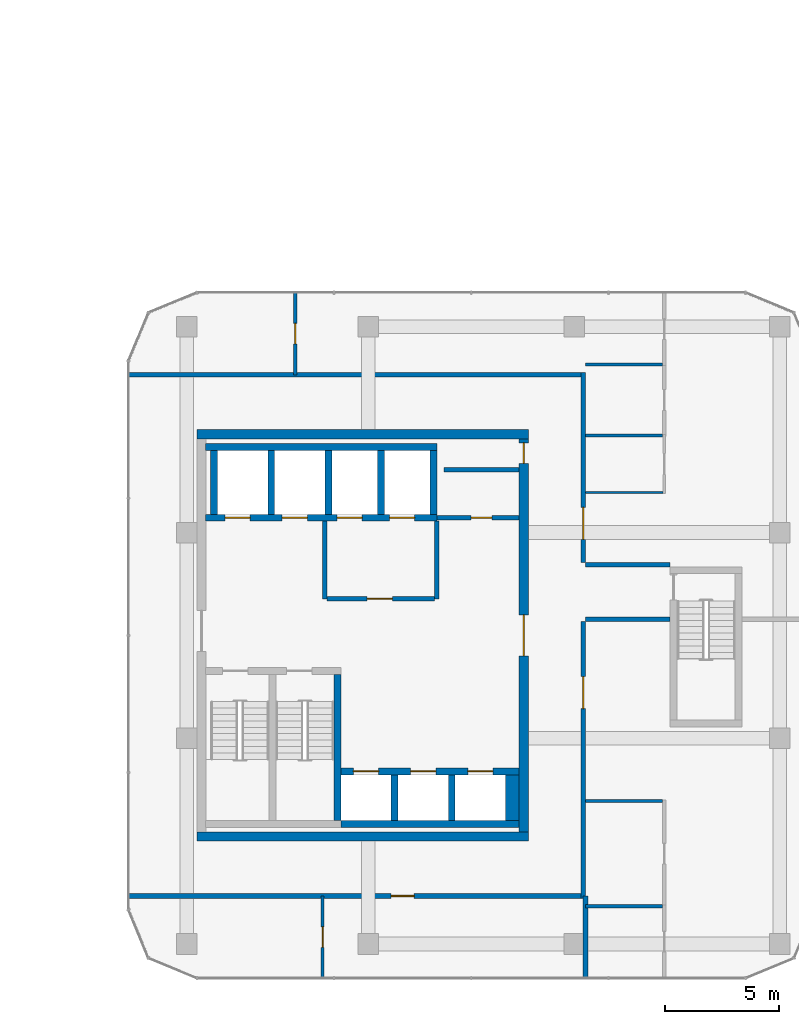
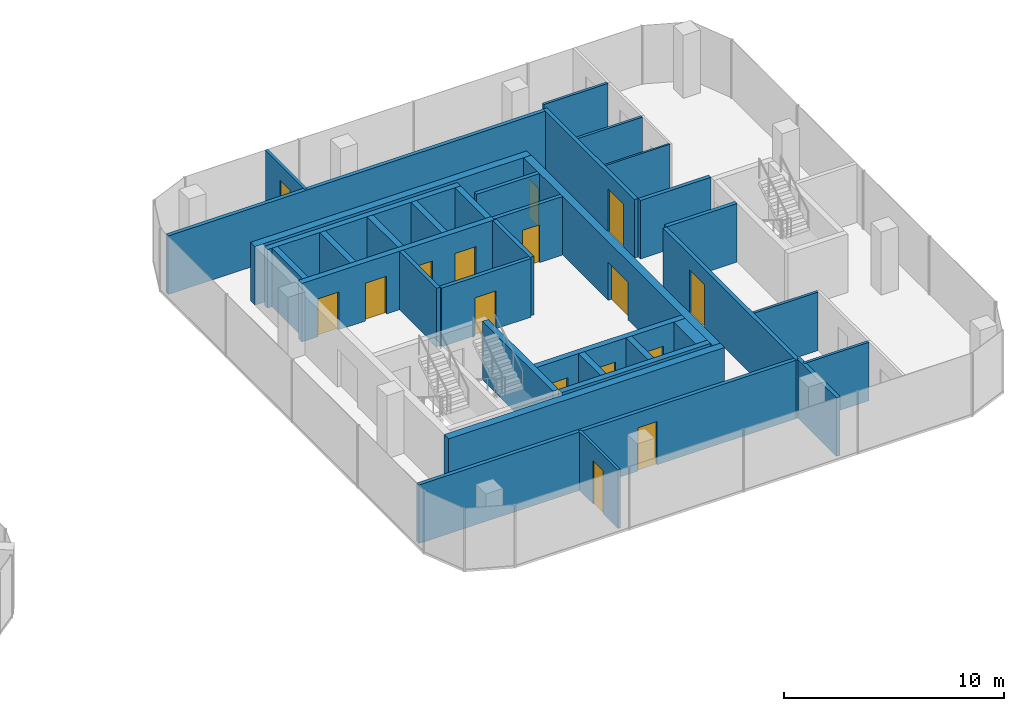
# One storey, part 18 of 23: 35 walls, 16 doors, 16 openings.
"""IFC4 building model written with IfcOpenShell, lengths in metres."""

from ifc_helpers import new_model, si_unit, direction, frame, frame_2d, origin, place, context, subcontext, project, spatial, rectangle, extrude, material, layer, layer_set, type_object, element, fill, save


model = new_model("IFC4")

# Units and contexts
model_context = context("Model", 3, precision=1e-05, world=origin(), true_north=direction((0.0, 1.0)))
body_context = subcontext(model_context, "Body", "Model", "MODEL_VIEW")
ifc_project = project(units=[si_unit("LENGTHUNIT", "METRE"), si_unit("AREAUNIT", "SQUARE_METRE"), si_unit("VOLUMEUNIT", "CUBIC_METRE"), si_unit("PLANEANGLEUNIT", "RADIAN"), si_unit("MASSUNIT", "GRAM", prefix="KILO")], contexts=[model_context])

# Site, building, storey
site_placement = place(None, origin())
site = spatial("IfcSite", under=ifc_project, at=site_placement, CompositionType="ELEMENT")
building_placement = place(site_placement, origin())
building = spatial("IfcBuilding", under=site, at=building_placement, Name="Plateau Cross Towers", CompositionType="ELEMENT")
storey_placement = place(building_placement, frame((0.0, 0.0, 92.300048828125)))
storey = spatial("IfcBuildingStorey", under=building, at=storey_placement, Name="L23", CompositionType="ELEMENT", Elevation=92.300048828125)

# Wall
ifc_material_1 = material(Name="Concrete block, plastered both sides", Category="concrete")
ifc_layer_1 = layer(ifc_material_1, 0.199951171875)
ifc_layer_set_1 = layer_set([ifc_layer_1], Name="Concrete block, plastered both sides")
wall_type_1 = type_object("IfcWallType", Name="Core partition 200", PredefinedType="PARTITIONING", material=ifc_layer_set_1)
wall_1_placement = place(storey_placement, frame((80.60009765625, 10.60009765625, 0.0), z_axis=(0.0, 0.0, 1.0), x_axis=(0.0, 1.0, 0.0)))
element("IfcWall", 1, at=wall_1_placement, inside=storey, type_object=wall_type_1, Name="Core partition", PredefinedType="PARTITIONING", context=body_context, shape_type="SweptSolid", body=[
    extrude(rectangle(XDim=3.39990234375, YDim=0.199951171875, at=frame_2d((1.699951171875, 0.0))), origin(), (0.0, 0.0, 1.0), 3.25),
])

# Wall, opening, door
wall_2_placement = place(storey_placement, frame((80.699951171875, 10.60009765625, 0.0), z_axis=(0.0, 0.0, 1.0), x_axis=(1.0, 0.0, 0.0)))
wall_2 = element("IfcWall", 2, at=wall_2_placement, inside=storey, type_object=wall_type_1, Name="Core partition", PredefinedType="PARTITIONING", context=body_context, shape_type="SweptSolid", body=[
    extrude(rectangle(XDim=4.699951171875, YDim=0.199951171875, at=frame_2d((2.35009765625, 0.0))), origin(), (0.0, 0.0, 1.0), 3.25),
])
opening_1_placement = place(wall_2_placement, frame((1.75, 0.0, 0.0)))
opening_1 = element("IfcOpeningElement", 3, at=opening_1_placement, cuts=wall_2, Name="Opening FFD", PredefinedType="OPENING", context=body_context, shape_type="SweptSolid", body=[
    extrude(rectangle(XDim=1.10009765625, YDim=2.10009765625, at=frame_2d((0.550048828125, 1.050048828125))), frame((0.0, 0.10986328125, 0.0), z_axis=(0.0, -1.0, 0.0), x_axis=(1.0, 0.0, 0.0)), (0.0, 0.0, 1.0), 0.219970703125),
])
ifc_material_2 = material(Name="Steel, fire-resisting leaf", Category="steel")
door_type_1 = type_object("IfcDoorType", Name="Firefighting lobby door 1100", OperationType="NOTDEFINED", PredefinedType="DOOR", material=ifc_material_2)
door_1_placement = place(opening_1_placement, origin())
door_1 = element("IfcDoor", 4, at=door_1_placement, inside=storey, type_object=door_type_1, Name="Firefighting lobby door FFD", OperationType="SINGLE_SWING_LEFT", OverallHeight=2.10009765625, OverallWidth=1.10009765625, PredefinedType="DOOR", context=body_context, shape_type="SweptSolid", body=[
    extrude(rectangle(XDim=1.10009765625, YDim=2.10009765625, at=frame_2d((0.550048828125, 1.050048828125))), frame((0.0, 0.02490234375, 0.0), z_axis=(0.0, -1.0, 0.0), x_axis=(1.0, 0.0, 0.0)), (0.0, 0.0, 1.0), 0.050048828125),
])
fill(opening_1, door_1)

# Wall
wall_3_placement = place(storey_placement, frame((85.5, 10.60009765625, 0.0), z_axis=(0.0, 0.0, 1.0), x_axis=(0.0, 1.0, 0.0)))
element("IfcWall", 5, at=wall_3_placement, inside=storey, type_object=wall_type_1, Name="Core partition", PredefinedType="PARTITIONING", context=body_context, shape_type="SweptSolid", body=[
    extrude(rectangle(XDim=3.39990234375, YDim=0.199951171875, at=frame_2d((1.699951171875, 0.0))), origin(), (0.0, 0.0, 1.0), 3.25),
])

# Wall, opening, door
wall_4_placement = place(storey_placement, frame((85.5, 14.14990234375, 0.0), z_axis=(0.0, 0.0, 1.0), x_axis=(1.0, 0.0, 0.0)))
wall_4 = element("IfcWall", 6, at=wall_4_placement, inside=storey, type_object=wall_type_1, Name="Core partition", PredefinedType="PARTITIONING", context=body_context, shape_type="SweptSolid", body=[
    extrude(rectangle(XDim=3.60009765625, YDim=0.199951171875, at=frame_2d((1.800048828125, 0.0))), origin(), (0.0, 0.0, 1.0), 3.25),
])
opening_2_placement = place(wall_4_placement, frame((1.5, 0.0, 0.0)))
opening_2 = element("IfcOpeningElement", 7, at=opening_2_placement, cuts=wall_4, Name="Opening RD2", PredefinedType="OPENING", context=body_context, shape_type="SweptSolid", body=[
    extrude(rectangle(XDim=0.89990234375, YDim=2.10009765625, at=frame_2d((0.449951171875, 1.050048828125))), frame((0.0, 0.10986328125, 0.0), z_axis=(0.0, -1.0, 0.0), x_axis=(1.0, 0.0, 0.0)), (0.0, 0.0, 1.0), 0.219970703125),
])
door_type_2 = type_object("IfcDoorType", Name="Core riser door 900", OperationType="NOTDEFINED", PredefinedType="DOOR", material=ifc_material_2)
door_2_placement = place(opening_2_placement, origin())
door_2 = element("IfcDoor", 8, at=door_2_placement, inside=storey, type_object=door_type_2, Name="Core riser door RD2", OperationType="SINGLE_SWING_LEFT", OverallHeight=2.10009765625, OverallWidth=0.89990234375, PredefinedType="DOOR", context=body_context, shape_type="SweptSolid", body=[
    extrude(rectangle(XDim=0.89990234375, YDim=2.10009765625, at=frame_2d((0.449951171875, 1.050048828125))), frame((0.0, 0.02490234375, 0.0), z_axis=(0.0, -1.0, 0.0), x_axis=(1.0, 0.0, 0.0)), (0.0, 0.0, 1.0), 0.050048828125),
])
fill(opening_2, door_2)

# Walls
wall_5_placement = place(storey_placement, frame((85.800048828125, 16.25, 0.0), z_axis=(0.0, 0.0, 1.0), x_axis=(1.0, 0.0, 0.0)))
element("IfcWall", 9, at=wall_5_placement, inside=storey, type_object=wall_type_1, Name="Core partition", PredefinedType="PARTITIONING", context=body_context, shape_type="SweptSolid", body=[
    extrude(rectangle(XDim=3.300048828125, YDim=0.199951171875, at=frame_2d((1.64990234375, 0.0))), origin(), (0.0, 0.0, 1.0), 3.25),
])
ifc_material_3 = material(Name="Concrete C60/75", Category="concrete")
ifc_layer_2 = layer(ifc_material_3, 0.300048828125)
ifc_layer_set_2 = layer_set([ifc_layer_2], Name="Concrete C60/75")
wall_type_2 = type_object("IfcWallType", Name="Core shaft wall 300", PredefinedType="SHEAR", material=ifc_layer_set_2)
wall_6_placement = place(storey_placement, frame((81.14990234375, 0.89990234375, 0.0), z_axis=(0.0, 0.0, 1.0), x_axis=(0.0, 1.0, 0.0)))
element("IfcWall", 10, at=wall_6_placement, inside=storey, type_object=wall_type_2, Name="B-sb-st2@L23", PredefinedType="SHEAR", context=body_context, shape_type="SweptSolid", body=[
    extrude(rectangle(XDim=6.400146484375, YDim=0.300048828125, at=frame_2d((3.2001953125, 0.0))), origin(), (0.0, 0.0, 1.0), 3.25),
])
wall_7_placement = place(storey_placement, frame((81.300048828125, 0.75, 0.0), z_axis=(0.0, 0.0, 1.0), x_axis=(1.0, 0.0, 0.0)))
element("IfcWall", 11, at=wall_7_placement, inside=storey, type_object=wall_type_2, Name="B-sb-back@L23", PredefinedType="SHEAR", context=body_context, shape_type="SweptSolid", body=[
    extrude(rectangle(XDim=7.800048828125, YDim=0.300048828125, at=frame_2d((3.89990234375, 0.0))), origin(), (0.0, 0.0, 1.0), 3.25),
])
for number, where, z_axis, x_axis, name in (
    (12, (83.64990234375, 0.89990234375, 0.0), (0.0, 0.0, 1.0), (0.0, 1.0, 0.0), "B-sb-v1@L23"),
    (13, (86.14990234375, 0.89990234375, 0.0), (0.0, 0.0, 1.0), (0.0, 1.0, 0.0), "B-sb-v2@L23"),
):
    element("IfcWall", number, at=place(storey_placement, frame(where, z_axis=z_axis, x_axis=x_axis)), inside=storey, type_object=wall_type_2, Name=name, PredefinedType="SHEAR", context=body_context, shape_type="SweptSolid", body=[
        extrude(rectangle(XDim=2.0, YDim=0.300048828125, at=frame_2d((1.0, 0.0))), origin(), (0.0, 0.0, 1.0), 3.25),
    ])

# Wall, openings, doors
wall_8_placement = place(storey_placement, frame((81.300048828125, 3.050048828125, 0.0), z_axis=(0.0, 0.0, 1.0), x_axis=(1.0, 0.0, 0.0)))
wall_8 = element("IfcWall", 14, at=wall_8_placement, inside=storey, type_object=wall_type_2, Name="B-sb-front@L23", PredefinedType="SHEAR", context=body_context, shape_type="SweptSolid", body=[
    extrude(rectangle(XDim=7.800048828125, YDim=0.300048828125, at=frame_2d((3.89990234375, 0.0))), origin(), (0.0, 0.0, 1.0), 3.25),
])
opening_3_placement = place(wall_8_placement, frame((0.550048828125, 0.0, 0.0)))
opening_3 = element("IfcOpeningElement", 15, at=opening_3_placement, cuts=wall_8, Name="Opening LD", PredefinedType="OPENING", context=body_context, shape_type="SweptSolid", body=[
    extrude(rectangle(XDim=1.10009765625, YDim=2.10009765625, at=frame_2d((0.550048828125, 1.050048828125))), frame((0.0, 0.159912109375, 0.0), z_axis=(0.0, -1.0, 0.0), x_axis=(1.0, 0.0, 0.0)), (0.0, 0.0, 1.0), 0.320068359375),
])
opening_4_placement = place(wall_8_placement, frame((3.050048828125, 0.0, 0.0)))
opening_4 = element("IfcOpeningElement", 16, at=opening_4_placement, cuts=wall_8, Name="Opening LD", PredefinedType="OPENING", context=body_context, shape_type="SweptSolid", body=[
    extrude(rectangle(XDim=1.10009765625, YDim=2.10009765625, at=frame_2d((0.550048828125, 1.050048828125))), frame((0.0, 0.159912109375, 0.0), z_axis=(0.0, -1.0, 0.0), x_axis=(1.0, 0.0, 0.0)), (0.0, 0.0, 1.0), 0.320068359375),
])
opening_5_placement = place(wall_8_placement, frame((5.550048828125, 0.0, 0.0)))
opening_5 = element("IfcOpeningElement", 17, at=opening_5_placement, cuts=wall_8, Name="Opening LD", PredefinedType="OPENING", context=body_context, shape_type="SweptSolid", body=[
    extrude(rectangle(XDim=1.10009765625, YDim=2.10009765625, at=frame_2d((0.550048828125, 1.050048828125))), frame((0.0, 0.159912109375, 0.0), z_axis=(0.0, -1.0, 0.0), x_axis=(1.0, 0.0, 0.0)), (0.0, 0.0, 1.0), 0.320068359375),
])
ifc_material_4 = material(Name="Stainless steel, fire-resisting sliding leaves", Category="steel")
door_type_3 = type_object("IfcDoorType", Name="Lift landing door 1100", OperationType="NOTDEFINED", PredefinedType="DOOR", material=ifc_material_4)
door_3_placement = place(opening_3_placement, origin())
door_3 = element("IfcDoor", 18, at=door_3_placement, inside=storey, type_object=door_type_3, Name="Lift landing door LD", OperationType="DOUBLE_DOOR_SLIDING", OverallHeight=2.10009765625, OverallWidth=1.10009765625, PredefinedType="DOOR", context=body_context, shape_type="SweptSolid", body=[
    extrude(rectangle(XDim=1.10009765625, YDim=2.10009765625, at=frame_2d((0.550048828125, 1.050048828125))), frame((0.0, 0.02490234375, 0.0), z_axis=(0.0, -1.0, 0.0), x_axis=(1.0, 0.0, 0.0)), (0.0, 0.0, 1.0), 0.050048828125),
])
fill(opening_3, door_3)
door_4_placement = place(opening_4_placement, origin())
door_4 = element("IfcDoor", 19, at=door_4_placement, inside=storey, type_object=door_type_3, Name="Lift landing door LD", OperationType="DOUBLE_DOOR_SLIDING", OverallHeight=2.10009765625, OverallWidth=1.10009765625, PredefinedType="DOOR", context=body_context, shape_type="SweptSolid", body=[
    extrude(rectangle(XDim=1.10009765625, YDim=2.10009765625, at=frame_2d((0.550048828125, 1.050048828125))), frame((0.0, 0.02490234375, 0.0), z_axis=(0.0, -1.0, 0.0), x_axis=(1.0, 0.0, 0.0)), (0.0, 0.0, 1.0), 0.050048828125),
])
fill(opening_4, door_4)
door_5_placement = place(opening_5_placement, origin())
door_5 = element("IfcDoor", 20, at=door_5_placement, inside=storey, type_object=door_type_3, Name="Lift landing door LD", OperationType="DOUBLE_DOOR_SLIDING", OverallHeight=2.10009765625, OverallWidth=1.10009765625, PredefinedType="DOOR", context=body_context, shape_type="SweptSolid", body=[
    extrude(rectangle(XDim=1.10009765625, YDim=2.10009765625, at=frame_2d((0.550048828125, 1.050048828125))), frame((0.0, 0.02490234375, 0.0), z_axis=(0.0, -1.0, 0.0), x_axis=(1.0, 0.0, 0.0)), (0.0, 0.0, 1.0), 0.050048828125),
])
fill(opening_5, door_5)

# Wall
wall_9_placement = place(storey_placement, frame((75.3798828125, 17.25, 0.0), z_axis=(0.0, 0.0, 1.0), x_axis=(1.0, 0.0, 0.0)))
element("IfcWall", 21, at=wall_9_placement, inside=storey, type_object=wall_type_2, Name="B-nb-back@L23", PredefinedType="SHEAR", context=body_context, shape_type="SweptSolid", body=[
    extrude(rectangle(XDim=10.1201171875, YDim=0.300048828125, at=frame_2d((5.06005859375, 0.0))), origin(), (0.0, 0.0, 1.0), 3.25),
])

# Wall, openings, doors
wall_10_placement = place(storey_placement, frame((75.3798828125, 14.14990234375, 0.0), z_axis=(0.0, 0.0, 1.0), x_axis=(1.0, 0.0, 0.0)))
wall_10 = element("IfcWall", 22, at=wall_10_placement, inside=storey, type_object=wall_type_2, Name="B-nb-front@L23", PredefinedType="SHEAR", context=body_context, shape_type="SweptSolid", body=[
    extrude(rectangle(XDim=10.1201171875, YDim=0.300048828125, at=frame_2d((5.06005859375, 0.0))), origin(), (0.0, 0.0, 1.0), 3.25),
])
opening_6_placement = place(wall_10_placement, frame((0.85009765625, 0.0, 0.0)))
opening_6 = element("IfcOpeningElement", 23, at=opening_6_placement, cuts=wall_10, Name="Opening LD", PredefinedType="OPENING", context=body_context, shape_type="SweptSolid", body=[
    extrude(rectangle(XDim=1.10009765625, YDim=2.10009765625, at=frame_2d((0.550048828125, 1.050048828125))), frame((0.0, 0.159912109375, 0.0), z_axis=(0.0, -1.0, 0.0), x_axis=(1.0, 0.0, 0.0)), (0.0, 0.0, 1.0), 0.320068359375),
])
opening_7_placement = place(wall_10_placement, frame((3.35009765625, 0.0, 0.0)))
opening_7 = element("IfcOpeningElement", 24, at=opening_7_placement, cuts=wall_10, Name="Opening LD", PredefinedType="OPENING", context=body_context, shape_type="SweptSolid", body=[
    extrude(rectangle(XDim=1.10009765625, YDim=2.10009765625, at=frame_2d((0.550048828125, 1.050048828125))), frame((0.0, 0.159912109375, 0.0), z_axis=(0.0, -1.0, 0.0), x_axis=(1.0, 0.0, 0.0)), (0.0, 0.0, 1.0), 0.320068359375),
])
opening_8_placement = place(wall_10_placement, frame((5.75, 0.0, 0.0)))
opening_8 = element("IfcOpeningElement", 25, at=opening_8_placement, cuts=wall_10, Name="Opening LD", PredefinedType="OPENING", context=body_context, shape_type="SweptSolid", body=[
    extrude(rectangle(XDim=1.10009765625, YDim=2.10009765625, at=frame_2d((0.550048828125, 1.050048828125))), frame((0.0, 0.159912109375, 0.0), z_axis=(0.0, -1.0, 0.0), x_axis=(1.0, 0.0, 0.0)), (0.0, 0.0, 1.0), 0.320068359375),
])
opening_9_placement = place(wall_10_placement, frame((8.050048828125, 0.0, 0.0)))
opening_9 = element("IfcOpeningElement", 26, at=opening_9_placement, cuts=wall_10, Name="Opening LD", PredefinedType="OPENING", context=body_context, shape_type="SweptSolid", body=[
    extrude(rectangle(XDim=1.10009765625, YDim=2.10009765625, at=frame_2d((0.550048828125, 1.050048828125))), frame((0.0, 0.159912109375, 0.0), z_axis=(0.0, -1.0, 0.0), x_axis=(1.0, 0.0, 0.0)), (0.0, 0.0, 1.0), 0.320068359375),
])
door_6_placement = place(opening_6_placement, origin())
door_6 = element("IfcDoor", 27, at=door_6_placement, inside=storey, type_object=door_type_3, Name="Lift landing door LD", OperationType="DOUBLE_DOOR_SLIDING", OverallHeight=2.10009765625, OverallWidth=1.10009765625, PredefinedType="DOOR", context=body_context, shape_type="SweptSolid", body=[
    extrude(rectangle(XDim=1.10009765625, YDim=2.10009765625, at=frame_2d((0.550048828125, 1.050048828125))), frame((0.0, 0.02490234375, 0.0), z_axis=(0.0, -1.0, 0.0), x_axis=(1.0, 0.0, 0.0)), (0.0, 0.0, 1.0), 0.050048828125),
])
fill(opening_6, door_6)
door_7_placement = place(opening_7_placement, origin())
door_7 = element("IfcDoor", 28, at=door_7_placement, inside=storey, type_object=door_type_3, Name="Lift landing door LD", OperationType="DOUBLE_DOOR_SLIDING", OverallHeight=2.10009765625, OverallWidth=1.10009765625, PredefinedType="DOOR", context=body_context, shape_type="SweptSolid", body=[
    extrude(rectangle(XDim=1.10009765625, YDim=2.10009765625, at=frame_2d((0.550048828125, 1.050048828125))), frame((0.0, 0.02490234375, 0.0), z_axis=(0.0, -1.0, 0.0), x_axis=(1.0, 0.0, 0.0)), (0.0, 0.0, 1.0), 0.050048828125),
])
fill(opening_7, door_7)
door_8_placement = place(opening_8_placement, origin())
door_8 = element("IfcDoor", 29, at=door_8_placement, inside=storey, type_object=door_type_3, Name="Lift landing door LD", OperationType="DOUBLE_DOOR_SLIDING", OverallHeight=2.10009765625, OverallWidth=1.10009765625, PredefinedType="DOOR", context=body_context, shape_type="SweptSolid", body=[
    extrude(rectangle(XDim=1.10009765625, YDim=2.10009765625, at=frame_2d((0.550048828125, 1.050048828125))), frame((0.0, 0.02490234375, 0.0), z_axis=(0.0, -1.0, 0.0), x_axis=(1.0, 0.0, 0.0)), (0.0, 0.0, 1.0), 0.050048828125),
])
fill(opening_8, door_8)
door_9_placement = place(opening_9_placement, origin())
door_9 = element("IfcDoor", 30, at=door_9_placement, inside=storey, type_object=door_type_3, Name="Lift landing door LD", OperationType="DOUBLE_DOOR_SLIDING", OverallHeight=2.10009765625, OverallWidth=1.10009765625, PredefinedType="DOOR", context=body_context, shape_type="SweptSolid", body=[
    extrude(rectangle(XDim=1.10009765625, YDim=2.10009765625, at=frame_2d((0.550048828125, 1.050048828125))), frame((0.0, 0.02490234375, 0.0), z_axis=(0.0, -1.0, 0.0), x_axis=(1.0, 0.0, 0.0)), (0.0, 0.0, 1.0), 0.050048828125),
])
fill(opening_9, door_9)

# Walls
for number, where, z_axis, x_axis, name in (
    (31, (75.75, 14.300048828125, 0.0), (0.0, 0.0, 1.0), (0.0, 1.0, 0.0), "B-nb-v0@L23"),
    (32, (78.25, 14.300048828125, 0.0), (0.0, 0.0, 1.0), (0.0, 1.0, 0.0), "B-nb-v1@L23"),
    (33, (80.75, 14.300048828125, 0.0), (0.0, 0.0, 1.0), (0.0, 1.0, 0.0), "B-nb-v2@L23"),
    (34, (83.050048828125, 14.300048828125, 0.0), (0.0, 0.0, 1.0), (0.0, 1.0, 0.0), "B-nb-v3@L23"),
    (35, (85.35009765625, 14.300048828125, 0.0), (0.0, 0.0, 1.0), (0.0, 1.0, 0.0), "B-nb-v4@L23"),
):
    element("IfcWall", number, at=place(storey_placement, frame(where, z_axis=z_axis, x_axis=x_axis)), inside=storey, type_object=wall_type_2, Name=name, PredefinedType="SHEAR", context=body_context, shape_type="SweptSolid", body=[
        extrude(rectangle(XDim=2.800048828125, YDim=0.300048828125, at=frame_2d((1.39990234375, 0.0))), origin(), (0.0, 0.0, 1.0), 3.25),
    ])
ifc_layer_3 = layer(ifc_material_3, 0.60009765625)
ifc_layer_set_3 = layer_set([ifc_layer_3], Name="Concrete C60/75")
wall_type_3 = type_object("IfcWallType", Name="Core shaft wall 600", PredefinedType="SHEAR", material=ifc_layer_set_3)
wall_11_placement = place(storey_placement, frame((88.800048828125, 0.89990234375, 0.0), z_axis=(0.0, 0.0, 1.0), x_axis=(0.0, 1.0, 0.0)))
element("IfcWall", 36, at=wall_11_placement, inside=storey, type_object=wall_type_3, Name="B-sb-v3@L23", PredefinedType="SHEAR", context=body_context, shape_type="SweptSolid", body=[
    extrude(rectangle(XDim=2.0, YDim=0.60009765625, at=frame_2d((1.0, 0.0))), origin(), (0.0, 0.0, 1.0), 3.25),
])
ifc_layer_4 = layer(ifc_material_3, 0.39990234375)
ifc_layer_set_4 = layer_set([ifc_layer_4], Name="Concrete C60/75")
wall_type_4 = type_object("IfcWallType", Name="Core shell wall 400", PredefinedType="SHEAR", material=ifc_layer_set_4)
for number, where, z_axis, x_axis, name in (
    (37, (75.0, 0.199951171875, 0.0), (0.0, 0.0, 1.0), (1.0, 0.0, 0.0), "B-core-S@L23"),
    (38, (75.0, 17.800048828125, 0.0), (0.0, 0.0, 1.0), (1.0, 0.0, 0.0), "B-core-N@L23"),
):
    element("IfcWall", number, at=place(storey_placement, frame(where, z_axis=z_axis, x_axis=x_axis)), inside=storey, type_object=wall_type_4, Name=name, PredefinedType="SHEAR", context=body_context, shape_type="SweptSolid", body=[
        extrude(rectangle(XDim=14.5, YDim=0.39990234375, at=frame_2d((7.25, 0.0))), origin(), (0.0, 0.0, 1.0), 3.25),
    ])

# Wall, openings, doors
wall_12_placement = place(storey_placement, frame((89.300048828125, 0.39990234375, 0.0), z_axis=(0.0, 0.0, 1.0), x_axis=(0.0, 1.0, 0.0)))
wall_12 = element("IfcWall", 39, at=wall_12_placement, inside=storey, type_object=wall_type_4, Name="B-core-E@L23", PredefinedType="SHEAR", context=body_context, shape_type="SweptSolid", body=[
    extrude(rectangle(XDim=17.2001953125, YDim=0.39990234375, at=frame_2d((8.60009765625, 0.0))), origin(), (0.0, 0.0, 1.0), 3.25),
])
opening_10_placement = place(wall_12_placement, frame((7.699951171875, 0.0, 0.0)))
opening_10 = element("IfcOpeningElement", 40, at=opening_10_placement, cuts=wall_12, Name="Opening CD", PredefinedType="OPENING", context=body_context, shape_type="SweptSolid", body=[
    extrude(rectangle(XDim=1.800048828125, YDim=2.10009765625, at=frame_2d((0.89990234375, 1.050048828125))), frame((0.0, 0.2099609375, 0.0), z_axis=(0.0, -1.0, 0.0), x_axis=(1.0, 0.0, 0.0)), (0.0, 0.0, 1.0), 0.419921875),
])
opening_11_placement = place(wall_12_placement, frame((16.125, 0.0, 0.0)))
opening_11 = element("IfcOpeningElement", 41, at=opening_11_placement, cuts=wall_12, Name="Opening RD2", PredefinedType="OPENING", context=body_context, shape_type="SweptSolid", body=[
    extrude(rectangle(XDim=0.89990234375, YDim=2.10009765625, at=frame_2d((0.449951171875, 1.050048828125))), frame((0.0, 0.2099609375, 0.0), z_axis=(0.0, -1.0, 0.0), x_axis=(1.0, 0.0, 0.0)), (0.0, 0.0, 1.0), 0.419921875),
])
door_10_placement = place(opening_11_placement, origin())
door_10 = element("IfcDoor", 42, at=door_10_placement, inside=storey, type_object=door_type_2, Name="Core riser door RD2", OperationType="SINGLE_SWING_LEFT", OverallHeight=2.10009765625, OverallWidth=0.89990234375, PredefinedType="DOOR", context=body_context, shape_type="SweptSolid", body=[
    extrude(rectangle(XDim=0.89990234375, YDim=2.10009765625, at=frame_2d((0.449951171875, 1.050048828125))), frame((0.0, 0.02490234375, 0.0), z_axis=(0.0, -1.0, 0.0), x_axis=(1.0, 0.0, 0.0)), (0.0, 0.0, 1.0), 0.050048828125),
])
fill(opening_11, door_10)
ifc_material_5 = material(Name="Steel, fire-resisting leaves", Category="steel")
door_type_4 = type_object("IfcDoorType", Name="Corridor door pair 1800", OperationType="NOTDEFINED", PredefinedType="DOOR", material=ifc_material_5)
door_11_placement = place(opening_10_placement, origin())
door_11 = element("IfcDoor", 43, at=door_11_placement, inside=storey, type_object=door_type_4, Name="Corridor door pair CD", OperationType="DOUBLE_DOOR_SINGLE_SWING", OverallHeight=2.10009765625, OverallWidth=1.800048828125, PredefinedType="DOOR", context=body_context, shape_type="SweptSolid", body=[
    extrude(rectangle(XDim=1.800048828125, YDim=2.10009765625, at=frame_2d((0.89990234375, 1.050048828125))), frame((0.0, 0.02490234375, 0.0), z_axis=(0.0, -1.0, 0.0), x_axis=(1.0, 0.0, 0.0)), (0.0, 0.0, 1.0), 0.050048828125),
])
fill(opening_10, door_11)

# Wall, opening, door
ifc_material_6 = material(Name="Gypsum board on steel studs, two layers each side", Category="steel")
ifc_layer_5 = layer(ifc_material_6, 0.199951171875)
ifc_layer_set_5 = layer_set([ifc_layer_5], Name="Gypsum board on steel studs, two layers each side")
wall_type_5 = type_object("IfcWallType", Name="Corridor wall 200", PredefinedType="PARTITIONING", material=ifc_layer_set_5)
wall_13_placement = place(storey_placement, frame((72.0, -2.39990234375, 0.0), z_axis=(0.0, 0.0, 1.0), x_axis=(1.0, 0.0, 0.0)))
wall_13 = element("IfcWall", 44, at=wall_13_placement, inside=storey, type_object=wall_type_5, Name="Ring wall", PredefinedType="PARTITIONING", context=body_context, shape_type="SweptSolid", body=[
    extrude(rectangle(XDim=20.0, YDim=0.199951171875, at=frame_2d((10.0, 0.0))), origin(), (0.0, 0.0, 1.0), 3.25),
])
opening_12_placement = place(wall_13_placement, frame((11.5, 0.0, 0.0)))
opening_12 = element("IfcOpeningElement", 45, at=opening_12_placement, cuts=wall_13, Name="Opening D-BO10", PredefinedType="OPENING", context=body_context, shape_type="SweptSolid", body=[
    extrude(rectangle(XDim=1.0, YDim=2.39990234375, at=frame_2d((0.5, 1.199951171875))), frame((0.0, 0.10986328125, 0.0), z_axis=(0.0, -1.0, 0.0), x_axis=(1.0, 0.0, 0.0)), (0.0, 0.0, 1.0), 0.219970703125),
])
ifc_material_7 = material(Name="Fire-resisting glazed leaf in a steel frame", Category="steel")
door_type_5 = type_object("IfcDoorType", Name="Office glazed entrance leaf 1000x2400", OperationType="NOTDEFINED", PredefinedType="DOOR", material=ifc_material_7)
door_12_placement = place(opening_12_placement, origin())
door_12 = element("IfcDoor", 46, at=door_12_placement, inside=storey, type_object=door_type_5, Name="Door D-BO10", OperationType="SINGLE_SWING_LEFT", OverallHeight=2.39990234375, OverallWidth=1.0, PredefinedType="DOOR", context=body_context, shape_type="SweptSolid", body=[
    extrude(rectangle(XDim=1.0, YDim=2.39990234375, at=frame_2d((0.5, 1.199951171875))), frame((0.0, 0.02490234375, 0.0), z_axis=(0.0, -1.0, 0.0), x_axis=(1.0, 0.0, 0.0)), (0.0, 0.0, 1.0), 0.050048828125),
])
fill(opening_12, door_12)

# Wall
wall_14_placement = place(storey_placement, frame((72.0, 20.39990234375, 0.0), z_axis=(0.0, 0.0, 1.0), x_axis=(1.0, 0.0, 0.0)))
element("IfcWall", 47, at=wall_14_placement, inside=storey, type_object=wall_type_5, Name="Ring wall", PredefinedType="PARTITIONING", context=body_context, shape_type="SweptSolid", body=[
    extrude(rectangle(XDim=20.0, YDim=0.199951171875, at=frame_2d((10.0, 0.0))), origin(), (0.0, 0.0, 1.0), 3.25),
])

# Wall, opening, door
wall_15_placement = place(storey_placement, frame((91.89990234375, -2.5, 0.0), z_axis=(0.0, 0.0, 1.0), x_axis=(0.0, 1.0, 0.0)))
wall_15 = element("IfcWall", 48, at=wall_15_placement, inside=storey, type_object=wall_type_5, Name="Ring wall", PredefinedType="PARTITIONING", context=body_context, shape_type="SweptSolid", body=[
    extrude(rectangle(XDim=12.10009765625, YDim=0.199951171875, at=frame_2d((6.050048828125, 0.0))), origin(), (0.0, 0.0, 1.0), 3.25),
])
opening_13_placement = place(wall_15_placement, frame((8.300048828125, 0.0, 0.0)))
opening_13 = element("IfcOpeningElement", 49, at=opening_13_placement, cuts=wall_15, Name="Opening D-BE14", PredefinedType="OPENING", context=body_context, shape_type="SweptSolid", body=[
    extrude(rectangle(XDim=1.39990234375, YDim=2.39990234375, at=frame_2d((0.699951171875, 1.199951171875))), frame((0.0, 0.10986328125, 0.0), z_axis=(0.0, -1.0, 0.0), x_axis=(1.0, 0.0, 0.0)), (0.0, 0.0, 1.0), 0.219970703125),
])
ifc_material_8 = material(Name="Timber, fire-resisting leaves", Category="wood")
door_type_6 = type_object("IfcDoorType", Name="Tenant entrance double-leaf 1400x2400", OperationType="NOTDEFINED", PredefinedType="DOOR", material=ifc_material_8)
door_13_placement = place(opening_13_placement, origin())
door_13 = element("IfcDoor", 50, at=door_13_placement, inside=storey, type_object=door_type_6, Name="Door D-BE14", OperationType="DOUBLE_DOOR_SINGLE_SWING", OverallHeight=2.39990234375, OverallWidth=1.39990234375, PredefinedType="DOOR", context=body_context, shape_type="SweptSolid", body=[
    extrude(rectangle(XDim=1.39990234375, YDim=2.39990234375, at=frame_2d((0.699951171875, 1.199951171875))), frame((0.0, 0.02490234375, 0.0), z_axis=(0.0, -1.0, 0.0), x_axis=(1.0, 0.0, 0.0)), (0.0, 0.0, 1.0), 0.050048828125),
])
fill(opening_13, door_13)

wall_16_placement = place(storey_placement, frame((91.89990234375, 12.199951171875, 0.0), z_axis=(0.0, 0.0, 1.0), x_axis=(0.0, 1.0, 0.0)))
wall_16 = element("IfcWall", 51, at=wall_16_placement, inside=storey, type_object=wall_type_5, Name="Ring wall", PredefinedType="PARTITIONING", context=body_context, shape_type="SweptSolid", body=[
    extrude(rectangle(XDim=8.300048828125, YDim=0.199951171875, at=frame_2d((4.14990234375, 0.0))), origin(), (0.0, 0.0, 1.0), 3.25),
])
opening_14_placement = place(wall_16_placement, frame((1.0, 0.0, 0.0)))
opening_14 = element("IfcOpeningElement", 52, at=opening_14_placement, cuts=wall_16, Name="Opening D-BE14", PredefinedType="OPENING", context=body_context, shape_type="SweptSolid", body=[
    extrude(rectangle(XDim=1.39990234375, YDim=2.39990234375, at=frame_2d((0.699951171875, 1.199951171875))), frame((0.0, 0.10986328125, 0.0), z_axis=(0.0, -1.0, 0.0), x_axis=(1.0, 0.0, 0.0)), (0.0, 0.0, 1.0), 0.219970703125),
])
door_14_placement = place(opening_14_placement, origin())
door_14 = element("IfcDoor", 53, at=door_14_placement, inside=storey, type_object=door_type_6, Name="Door D-BE14", OperationType="DOUBLE_DOOR_SINGLE_SWING", OverallHeight=2.39990234375, OverallWidth=1.39990234375, PredefinedType="DOOR", context=body_context, shape_type="SweptSolid", body=[
    extrude(rectangle(XDim=1.39990234375, YDim=2.39990234375, at=frame_2d((0.699951171875, 1.199951171875))), frame((0.0, 0.02490234375, 0.0), z_axis=(0.0, -1.0, 0.0), x_axis=(1.0, 0.0, 0.0)), (0.0, 0.0, 1.0), 0.050048828125),
])
fill(opening_14, door_14)

# Walls
for number, where, z_axis, x_axis, name in (
    (54, (92.0, 9.699951171875, 0.0), (0.0, 0.0, 1.0), (1.0, 0.0, 0.0), "Ring wall"),
    (55, (92.0, 12.10009765625, 0.0), (0.0, 0.0, 1.0), (1.0, 0.0, 0.0), "Ring wall"),
):
    element("IfcWall", number, at=place(storey_placement, frame(where, z_axis=z_axis, x_axis=x_axis)), inside=storey, type_object=wall_type_5, Name=name, PredefinedType="PARTITIONING", context=body_context, shape_type="SweptSolid", body=[
        extrude(rectangle(XDim=3.699951171875, YDim=0.199951171875, at=frame_2d((1.85009765625, 0.0))), origin(), (0.0, 0.0, 1.0), 3.25),
    ])

# Wall, opening, door
ifc_material_9 = material(Name="Gypsum board on staggered steel studs, mineral wool, two layers each side", Category="steel")
ifc_layer_6 = layer(ifc_material_9, 0.139892578125)
ifc_layer_set_6 = layer_set([ifc_layer_6], Name="Gypsum board on staggered steel studs, mineral wool, two layers each side")
wall_type_6 = type_object("IfcWallType", Name="Meeting room acoustic partition 140", PredefinedType="PARTITIONING", material=ifc_layer_set_6)
wall_17_placement = place(storey_placement, frame((80.5, -6.0, 0.0), z_axis=(0.0, 0.0, 1.0), x_axis=(0.0, 1.0, 0.0)))
wall_17 = element("IfcWall", 56, at=wall_17_placement, inside=storey, type_object=wall_type_6, Name="Acoustic wall", PredefinedType="PARTITIONING", context=body_context, shape_type="SweptSolid", body=[
    extrude(rectangle(XDim=3.60009765625, YDim=0.139892578125, at=frame_2d((1.800048828125, 0.0))), origin(), (0.0, 0.0, 1.0), 3.25),
])
opening_15_placement = place(wall_17_placement, frame((1.35009765625, 0.0, 0.0)))
opening_15 = element("IfcOpeningElement", 57, at=opening_15_placement, cuts=wall_17, Name="Opening D-BM9", PredefinedType="OPENING", context=body_context, shape_type="SweptSolid", body=[
    extrude(rectangle(XDim=0.89990234375, YDim=2.39990234375, at=frame_2d((0.449951171875, 1.199951171875))), frame((0.0, 0.079833984375, 0.0), z_axis=(0.0, -1.0, 0.0), x_axis=(1.0, 0.0, 0.0)), (0.0, 0.0, 1.0), 0.159912109375),
])
ifc_material_10 = material(Name="Timber leaf, full height", Category="wood")
door_type_7 = type_object("IfcDoorType", Name="Meeting room door 900x2400", OperationType="NOTDEFINED", PredefinedType="DOOR", material=ifc_material_10)
door_15_placement = place(opening_15_placement, origin())
door_15 = element("IfcDoor", 58, at=door_15_placement, inside=storey, type_object=door_type_7, Name="Door D-BM9", OperationType="SINGLE_SWING_LEFT", OverallHeight=2.39990234375, OverallWidth=0.89990234375, PredefinedType="DOOR", context=body_context, shape_type="SweptSolid", body=[
    extrude(rectangle(XDim=0.89990234375, YDim=2.39990234375, at=frame_2d((0.449951171875, 1.199951171875))), frame((0.0, 0.02490234375, 0.0), z_axis=(0.0, -1.0, 0.0), x_axis=(1.0, 0.0, 0.0)), (0.0, 0.0, 1.0), 0.050048828125),
])
fill(opening_15, door_15)

# Walls
for number, where, z_axis, x_axis, name in (
    (59, (92.0, -2.85009765625, 0.0), (0.0, 0.0, 1.0), (1.0, 0.0, 0.0), "Acoustic wall"),
    (60, (92.0, 1.75, 0.0), (0.0, 0.0, 1.0), (1.0, 0.0, 0.0), "Acoustic wall"),
    (61, (92.0, 20.85009765625, 0.0), (0.0, 0.0, 1.0), (1.0, 0.0, 0.0), "Acoustic wall"),
    (62, (92.0, 17.75, 0.0), (0.0, 0.0, 1.0), (1.0, 0.0, 0.0), "Acoustic wall"),
):
    element("IfcWall", number, at=place(storey_placement, frame(where, z_axis=z_axis, x_axis=x_axis)), inside=storey, type_object=wall_type_6, Name=name, PredefinedType="PARTITIONING", context=body_context, shape_type="SweptSolid", body=[
        extrude(rectangle(XDim=3.3798828125, YDim=0.139892578125, at=frame_2d((1.68994140625, 0.0))), origin(), (0.0, 0.0, 1.0), 3.25),
    ])

# Wall, opening, door
wall_18_placement = place(storey_placement, frame((79.300048828125, 20.39990234375, 0.0), z_axis=(0.0, 0.0, 1.0), x_axis=(0.0, 1.0, 0.0)))
wall_18 = element("IfcWall", 63, at=wall_18_placement, inside=storey, type_object=wall_type_6, Name="Acoustic wall", PredefinedType="PARTITIONING", context=body_context, shape_type="SweptSolid", body=[
    extrude(rectangle(XDim=3.60009765625, YDim=0.139892578125, at=frame_2d((1.800048828125, 0.0))), origin(), (0.0, 0.0, 1.0), 3.25),
])
opening_16_placement = place(wall_18_placement, frame((1.35009765625, 0.0, 0.0)))
opening_16 = element("IfcOpeningElement", 64, at=opening_16_placement, cuts=wall_18, Name="Opening D-BM9", PredefinedType="OPENING", context=body_context, shape_type="SweptSolid", body=[
    extrude(rectangle(XDim=0.89990234375, YDim=2.39990234375, at=frame_2d((0.449951171875, 1.199951171875))), frame((0.0, 0.079833984375, 0.0), z_axis=(0.0, -1.0, 0.0), x_axis=(1.0, 0.0, 0.0)), (0.0, 0.0, 1.0), 0.159912109375),
])
door_16_placement = place(opening_16_placement, origin())
door_16 = element("IfcDoor", 65, at=door_16_placement, inside=storey, type_object=door_type_7, Name="Door D-BM9", OperationType="SINGLE_SWING_LEFT", OverallHeight=2.39990234375, OverallWidth=0.89990234375, PredefinedType="DOOR", context=body_context, shape_type="SweptSolid", body=[
    extrude(rectangle(XDim=0.89990234375, YDim=2.39990234375, at=frame_2d((0.449951171875, 1.199951171875))), frame((0.0, 0.02490234375, 0.0), z_axis=(0.0, -1.0, 0.0), x_axis=(1.0, 0.0, 0.0)), (0.0, 0.0, 1.0), 0.050048828125),
])
fill(opening_16, door_16)

# Walls
ifc_material_11 = material(Name="Gypsum board on steel studs", Category="steel")
ifc_layer_7 = layer(ifc_material_11, 0.10009765625)
ifc_layer_set_7 = layer_set([ifc_layer_7], Name="Gypsum board on steel studs")
wall_type_7 = type_object("IfcWallType", Name="Office partition 100", PredefinedType="PARTITIONING", material=ifc_layer_set_7)
wall_19_placement = place(storey_placement, frame((92.0, 15.25, 0.0), z_axis=(0.0, 0.0, 1.0), x_axis=(1.0, 0.0, 0.0)))
element("IfcWall", 66, at=wall_19_placement, inside=storey, type_object=wall_type_7, Name="Part wall", PredefinedType="PARTITIONING", context=body_context, shape_type="SweptSolid", body=[
    extrude(rectangle(XDim=3.39990234375, YDim=0.10009765625, at=frame_2d((1.699951171875, 0.0))), origin(), (0.0, 0.0, 1.0), 3.25),
])
ifc_layer_8 = layer(ifc_material_6, 0.199951171875)
ifc_layer_set_8 = layer_set([ifc_layer_8], Name="Gypsum board on steel studs, two layers each side")
wall_type_8 = type_object("IfcWallType", Name="Tenancy demising wall 200", PredefinedType="PARTITIONING", material=ifc_layer_set_8)
wall_20_placement = place(storey_placement, frame((92.0, -6.0, 0.0), z_axis=(0.0, 0.0, 1.0), x_axis=(0.0, 1.0, 0.0)))
element("IfcWall", 67, at=wall_20_placement, inside=storey, type_object=wall_type_8, Name="Demising wall", PredefinedType="PARTITIONING", context=body_context, shape_type="SweptSolid", body=[
    extrude(rectangle(XDim=3.60009765625, YDim=0.199951171875, at=frame_2d((1.800048828125, 0.0))), origin(), (0.0, 0.0, 1.0), 3.25),
])

save(model, "model.ifc")
